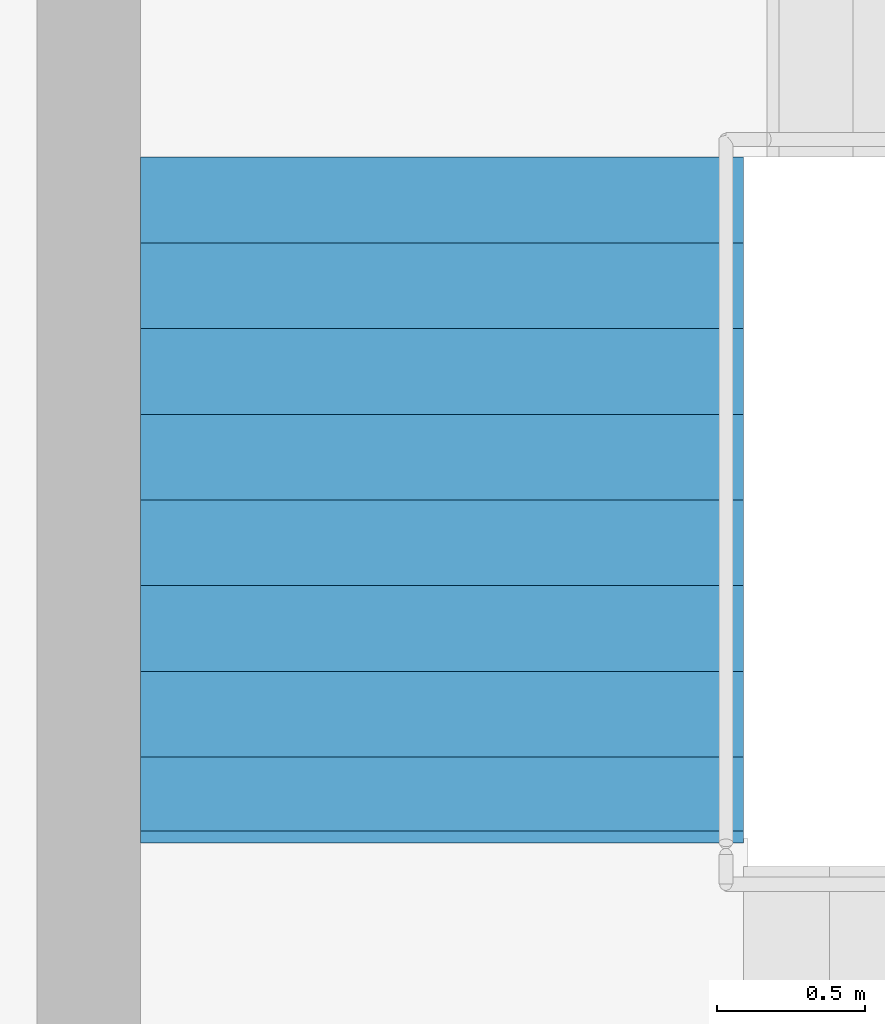
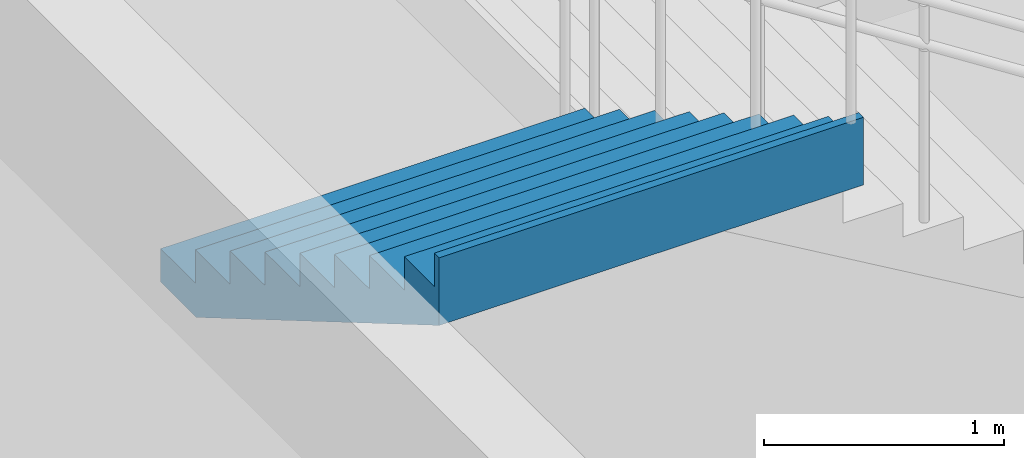
# One storey, part 47 of 58: 1 stair flight, 1 element without a shape of its own.
"""IFC4 building model written with IfcOpenShell, lengths in metres."""

from ifc_helpers import new_model, si_unit, direction, frame, origin, place, context, subcontext, project, spatial, triangles, material, type_object, element, aggregate, save


model = new_model("IFC4")

# Units and contexts
model_context = context("Model", 3, precision=1e-05, world=origin(), true_north=direction((0.0, 1.0)))
body_context = subcontext(model_context, "Body", "Model", "MODEL_VIEW")
ifc_project = project(units=[si_unit("LENGTHUNIT", "METRE"), si_unit("AREAUNIT", "SQUARE_METRE"), si_unit("VOLUMEUNIT", "CUBIC_METRE"), si_unit("PLANEANGLEUNIT", "RADIAN"), si_unit("MASSUNIT", "GRAM", prefix="KILO")], contexts=[model_context])

# Site, building, storey
site_placement = place(None, origin())
site = spatial("IfcSite", under=ifc_project, at=site_placement, CompositionType="ELEMENT")
building_placement = place(site_placement, origin())
building = spatial("IfcBuilding", under=site, at=building_placement, Name="Sillaruma Civic Art Gallery", CompositionType="ELEMENT")
storey_placement = place(building_placement, frame((0.0, 0.0, 22.43994140625)))
storey = spatial("IfcBuildingStorey", under=building, at=storey_placement, Name="L04", CompositionType="ELEMENT", Elevation=22.43994140625)

# Stair, stair flight
ifc_material = material(Name="Concrete H35 (35 MPa)", Category="concrete")
stair_type = type_object("IfcStairType", Name="STR-4F-36", PredefinedType="USERDEFINED", material=ifc_material)
stair_placement = place(storey_placement, origin())
stair = element("IfcStair", 1, at=stair_placement, inside=storey, type_object=stair_type, Name="Protected Exit Stair ST-04 (East Bar) (L04)", ObjectType="THREE_RETURN_STAIR", PredefinedType="USERDEFINED")
stair_flight_type = type_object("IfcStairFlightType", Name="SFL-STR-9", PredefinedType="STRAIGHT", material=ifc_material)
stair_flight_placement = place(storey_placement, frame((99.8798828125, 55.64990234375, 4.590087890625), z_axis=(0.0, 0.0, 1.0), x_axis=(0.0, -1.0, 0.0)))
stair_flight = element("IfcStairFlight", 2, at=stair_flight_placement, type_object=stair_flight_type, Name="ST-04 flight 4", NumberOfRisers=9, NumberOfTreads=8, PredefinedType="STRAIGHT", RiserHeight=0.17, TreadLength=0.29, context=body_context, shape_type="Tessellation", body=[
    triangles([(0.0, -1.02001953125, 0.0), (0.29, -1.02001953125, 0.0), (0.296482, -1.02001953125, 0.0), (0.58, -1.02001953125, 0.1662), (0.87, -1.02001953125, 0.3362), (1.16, -1.02001953125, 0.5062), (1.45, -1.02001953125, 0.6762), (1.74, -1.02001953125, 0.8462), (2.03, -1.02001953125, 1.0162), (2.280068, -1.02001953125, 1.162792), (2.320068, -1.02001953125, 1.18624), (2.320068, -1.02001953125, 1.53), (2.280068, -1.02001953125, 1.53), (2.280068, -1.02001953125, 1.36), (2.03, -1.02001953125, 1.36), (2.03, -1.02001953125, 1.19), (1.74, -1.02001953125, 1.19), (1.74, -1.02001953125, 1.02), (1.45, -1.02001953125, 1.02), (1.45, -1.02001953125, 0.85), (1.16, -1.02001953125, 0.85), (1.16, -1.02001953125, 0.68), (0.87, -1.02001953125, 0.68), (0.87, -1.02001953125, 0.51), (0.58, -1.02001953125, 0.51), (0.58, -1.02001953125, 0.34), (0.296482, -1.02001953125, 0.34), (0.29, -1.02001953125, 0.34), (0.29, -1.02001953125, 0.17), (0.0, -1.02001953125, 0.17), (0.0, -0.05, 0.0), (0.29, -0.05, 0.0), (0.296482, -0.05, 0.0), (0.58, -0.05, 0.1662), (0.87, -0.05, 0.3362), (1.16, -0.05, 0.5062), (1.45, -0.05, 0.6762), (1.74, -0.05, 0.8462), (2.03, -0.05, 1.0162), (2.280068, -0.05, 1.162792), (2.320068, -0.05, 1.18624), (2.320068, -0.05, 1.53), (2.280068, -0.05, 1.53), (2.280068, -0.05, 1.36), (2.03, -0.05, 1.36), (2.03, -0.05, 1.19), (1.74, -0.05, 1.19), (1.74, -0.05, 1.02), (1.45, -0.05, 1.02), (1.45, -0.05, 0.85), (1.16, -0.05, 0.85), (1.16, -0.05, 0.68), (0.87, -0.05, 0.68), (0.87, -0.05, 0.51), (0.58, -0.05, 0.51), (0.58, -0.05, 0.34), (0.296482, -0.05, 0.34), (0.29, -0.05, 0.34), (0.29, -0.05, 0.17), (0.0, -0.05, 0.17), (0.0, -0.0375, 0.0), (0.29, -0.0375, 0.0), (0.296482, -0.0375, 0.0), (0.58, -0.0375, 0.1662), (0.87, -0.0375, 0.3362), (1.16, -0.0375, 0.5062), (1.45, -0.0375, 0.6762), (1.74, -0.0375, 0.8462), (2.03, -0.0375, 1.0162), (2.280068, -0.0375, 1.162792), (2.320068, -0.0375, 1.18624), (2.320068, -0.0375, 1.53), (2.280068, -0.0375, 1.53), (2.280068, -0.0375, 1.36), (2.03, -0.0375, 1.36), (2.03, -0.0375, 1.19), (1.74, -0.0375, 1.19), (1.74, -0.0375, 1.02), (1.45, -0.0375, 1.02), (1.45, -0.0375, 0.85), (1.16, -0.0375, 0.85), (1.16, -0.0375, 0.68), (0.87, -0.0375, 0.68), (0.87, -0.0375, 0.51), (0.58, -0.0375, 0.51), (0.58, -0.0375, 0.34), (0.296482, -0.0375, 0.34), (0.29, -0.0375, 0.34), (0.29, -0.0375, 0.17), (0.0, -0.0375, 0.17), (0.0, -0.025, 0.0), (0.29, -0.025, 0.0), (0.296482, -0.025, 0.0), (0.58, -0.025, 0.1662), (0.87, -0.025, 0.3362), (1.16, -0.025, 0.5062), (1.45, -0.025, 0.6762), (1.74, -0.025, 0.8462), (2.03, -0.025, 1.0162), (2.280068, -0.025, 1.162792), (2.320068, -0.025, 1.18624), (2.320068, -0.025, 1.53), (2.280068, -0.025, 1.53), (2.280068, -0.025, 1.36), (2.03, -0.025, 1.36), (2.03, -0.025, 1.19), (1.74, -0.025, 1.19), (1.74, -0.025, 1.02), (1.45, -0.025, 1.02), (1.45, -0.025, 0.85), (1.16, -0.025, 0.85), (1.16, -0.025, 0.68), (0.87, -0.025, 0.68), (0.87, -0.025, 0.51), (0.58, -0.025, 0.51), (0.58, -0.025, 0.34), (0.296482, -0.025, 0.34), (0.29, -0.025, 0.34), (0.29, -0.025, 0.17), (0.0, -0.025, 0.17), (0.0, -0.0125, 0.0), (0.29, -0.0125, 0.0), (0.296482, -0.0125, 0.0), (0.58, -0.0125, 0.1662), (0.87, -0.0125, 0.3362), (1.16, -0.0125, 0.5062), (1.45, -0.0125, 0.6762), (1.74, -0.0125, 0.8462), (2.03, -0.0125, 1.0162), (2.280068, -0.0125, 1.162792), (2.320068, -0.0125, 1.18624), (2.320068, -0.0125, 1.53), (2.280068, -0.0125, 1.53), (2.280068, -0.0125, 1.36), (2.03, -0.0125, 1.36), (2.03, -0.0125, 1.19), (1.74, -0.0125, 1.19), (1.74, -0.0125, 1.02), (1.45, -0.0125, 1.02), (1.45, -0.0125, 0.85), (1.16, -0.0125, 0.85), (1.16, -0.0125, 0.68), (0.87, -0.0125, 0.68), (0.87, -0.0125, 0.51), (0.58, -0.0125, 0.51), (0.58, -0.0125, 0.34), (0.296482, -0.0125, 0.34), (0.29, -0.0125, 0.34), (0.29, -0.0125, 0.17), (0.0, -0.0125, 0.17), (0.0, 0.0, 0.0), (0.29, 0.0, 0.0), (0.296482, 0.0, 0.0), (0.58, 0.0, 0.1662), (0.87, 0.0, 0.3362), (1.16, 0.0, 0.5062), (1.45, 0.0, 0.6762), (1.74, 0.0, 0.8462), (2.03, 0.0, 1.0162), (2.280068, 0.0, 1.162792), (2.320068, 0.0, 1.18624), (2.320068, 0.0, 1.53), (2.280068, 0.0, 1.53), (2.280068, 0.0, 1.36), (2.03, 0.0, 1.36), (2.03, 0.0, 1.19), (1.74, 0.0, 1.19), (1.74, 0.0, 1.02), (1.45, 0.0, 1.02), (1.45, 0.0, 0.85), (1.16, 0.0, 0.85), (1.16, 0.0, 0.68), (0.87, 0.0, 0.68), (0.87, 0.0, 0.51), (0.58, 0.0, 0.51), (0.58, 0.0, 0.34), (0.296482, 0.0, 0.34), (0.29, 0.0, 0.34), (0.29, 0.0, 0.17), (0.0, 0.0, 0.17), (0.0, 0.0125, 0.0), (0.29, 0.0125, 0.0), (0.296482, 0.0125, 0.0), (0.58, 0.0125, 0.1662), (0.87, 0.0125, 0.3362), (1.16, 0.0125, 0.5062), (1.45, 0.0125, 0.6762), (1.74, 0.0125, 0.8462), (2.03, 0.0125, 1.0162), (2.280068, 0.0125, 1.162792), (2.320068, 0.0125, 1.18624), (2.320068, 0.0125, 1.53), (2.280068, 0.0125, 1.53), (2.280068, 0.0125, 1.36), (2.03, 0.0125, 1.36), (2.03, 0.0125, 1.19), (1.74, 0.0125, 1.19), (1.74, 0.0125, 1.02), (1.45, 0.0125, 1.02), (1.45, 0.0125, 0.85), (1.16, 0.0125, 0.85), (1.16, 0.0125, 0.68), (0.87, 0.0125, 0.68), (0.87, 0.0125, 0.51), (0.58, 0.0125, 0.51), (0.58, 0.0125, 0.34), (0.296482, 0.0125, 0.34), (0.29, 0.0125, 0.34), (0.29, 0.0125, 0.17), (0.0, 0.0125, 0.17), (0.0, 0.025, 0.0), (0.29, 0.025, 0.0), (0.296482, 0.025, 0.0), (0.58, 0.025, 0.1662), (0.87, 0.025, 0.3362), (1.16, 0.025, 0.5062), (1.45, 0.025, 0.6762), (1.74, 0.025, 0.8462), (2.03, 0.025, 1.0162), (2.280068, 0.025, 1.162792), (2.320068, 0.025, 1.18624), (2.320068, 0.025, 1.53), (2.280068, 0.025, 1.53), (2.280068, 0.025, 1.36), (2.03, 0.025, 1.36), (2.03, 0.025, 1.19), (1.74, 0.025, 1.19), (1.74, 0.025, 1.02), (1.45, 0.025, 1.02), (1.45, 0.025, 0.85), (1.16, 0.025, 0.85), (1.16, 0.025, 0.68), (0.87, 0.025, 0.68), (0.87, 0.025, 0.51), (0.58, 0.025, 0.51), (0.58, 0.025, 0.34), (0.296482, 0.025, 0.34), (0.29, 0.025, 0.34), (0.29, 0.025, 0.17), (0.0, 0.025, 0.17), (0.0, 0.0375, 0.0), (0.29, 0.0375, 0.0), (0.296482, 0.0375, 0.0), (0.58, 0.0375, 0.1662), (0.87, 0.0375, 0.3362), (1.16, 0.0375, 0.5062), (1.45, 0.0375, 0.6762), (1.74, 0.0375, 0.8462), (2.03, 0.0375, 1.0162), (2.280068, 0.0375, 1.162792), (2.320068, 0.0375, 1.18624), (2.320068, 0.0375, 1.53), (2.280068, 0.0375, 1.53), (2.280068, 0.0375, 1.36), (2.03, 0.0375, 1.36), (2.03, 0.0375, 1.19), (1.74, 0.0375, 1.19), (1.74, 0.0375, 1.02), (1.45, 0.0375, 1.02), (1.45, 0.0375, 0.85), (1.16, 0.0375, 0.85), (1.16, 0.0375, 0.68), (0.87, 0.0375, 0.68), (0.87, 0.0375, 0.51), (0.58, 0.0375, 0.51), (0.58, 0.0375, 0.34), (0.296482, 0.0375, 0.34), (0.29, 0.0375, 0.34), (0.29, 0.0375, 0.17), (0.0, 0.0375, 0.17), (0.0, 0.05, 0.0), (0.29, 0.05, 0.0), (0.296482, 0.05, 0.0), (0.58, 0.05, 0.1662), (0.87, 0.05, 0.3362), (1.16, 0.05, 0.5062), (1.45, 0.05, 0.6762), (1.74, 0.05, 0.8462), (2.03, 0.05, 1.0162), (2.280068, 0.05, 1.162792), (2.320068, 0.05, 1.18624), (2.320068, 0.05, 1.53), (2.280068, 0.05, 1.53), (2.280068, 0.05, 1.36), (2.03, 0.05, 1.36), (2.03, 0.05, 1.19), (1.74, 0.05, 1.19), (1.74, 0.05, 1.02), (1.45, 0.05, 1.02), (1.45, 0.05, 0.85), (1.16, 0.05, 0.85), (1.16, 0.05, 0.68), (0.87, 0.05, 0.68), (0.87, 0.05, 0.51), (0.58, 0.05, 0.51), (0.58, 0.05, 0.34), (0.296482, 0.05, 0.34), (0.29, 0.05, 0.34), (0.29, 0.05, 0.17), (0.0, 0.05, 0.17), (0.0, 1.02001953125, 0.0), (0.29, 1.02001953125, 0.0), (0.296482, 1.02001953125, 0.0), (0.58, 1.02001953125, 0.1662), (0.87, 1.02001953125, 0.3362), (1.16, 1.02001953125, 0.5062), (1.45, 1.02001953125, 0.6762), (1.74, 1.02001953125, 0.8462), (2.03, 1.02001953125, 1.0162), (2.280068, 1.02001953125, 1.162792), (2.320068, 1.02001953125, 1.18624), (2.320068, 1.02001953125, 1.53), (2.280068, 1.02001953125, 1.53), (2.280068, 1.02001953125, 1.36), (2.03, 1.02001953125, 1.36), (2.03, 1.02001953125, 1.19), (1.74, 1.02001953125, 1.19), (1.74, 1.02001953125, 1.02), (1.45, 1.02001953125, 1.02), (1.45, 1.02001953125, 0.85), (1.16, 1.02001953125, 0.85), (1.16, 1.02001953125, 0.68), (0.87, 1.02001953125, 0.68), (0.87, 1.02001953125, 0.51), (0.58, 1.02001953125, 0.51), (0.58, 1.02001953125, 0.34), (0.296482, 1.02001953125, 0.34), (0.29, 1.02001953125, 0.34), (0.29, 1.02001953125, 0.17), (0.0, 1.02001953125, 0.17)], [[1, 2, 29], [1, 29, 30], [2, 3, 27], [2, 27, 29], [29, 27, 28], [3, 4, 26], [3, 26, 27], [4, 5, 24], [4, 24, 26], [26, 24, 25], [5, 6, 22], [5, 22, 24], [24, 22, 23], [6, 7, 20], [6, 20, 22], [22, 20, 21], [7, 8, 18], [7, 18, 20], [20, 18, 19], [8, 9, 16], [8, 16, 18], [18, 16, 17], [9, 10, 14], [9, 14, 16], [16, 14, 15], [10, 11, 12], [10, 12, 14], [14, 12, 13], [329, 302, 301], [330, 329, 301], [327, 303, 302], [329, 327, 302], [328, 327, 329], [326, 304, 303], [327, 326, 303], [324, 305, 304], [326, 324, 304], [325, 324, 326], [322, 306, 305], [324, 322, 305], [323, 322, 324], [320, 307, 306], [322, 320, 306], [321, 320, 322], [318, 308, 307], [320, 318, 307], [319, 318, 320], [316, 309, 308], [318, 316, 308], [317, 316, 318], [314, 310, 309], [316, 314, 309], [315, 314, 316], [312, 311, 310], [314, 312, 310], [313, 312, 314], [2, 1, 31], [2, 31, 32], [3, 2, 32], [3, 32, 33], [4, 3, 33], [4, 33, 34], [5, 4, 34], [5, 34, 35], [6, 5, 35], [6, 35, 36], [7, 6, 36], [7, 36, 37], [8, 7, 37], [8, 37, 38], [9, 8, 38], [9, 38, 39], [10, 9, 39], [10, 39, 40], [11, 10, 40], [11, 40, 41], [12, 11, 41], [12, 41, 42], [13, 12, 42], [13, 42, 43], [14, 13, 43], [14, 43, 44], [15, 14, 44], [15, 44, 45], [16, 15, 45], [16, 45, 46], [17, 16, 46], [17, 46, 47], [18, 17, 47], [18, 47, 48], [19, 18, 48], [19, 48, 49], [20, 19, 49], [20, 49, 50], [21, 20, 50], [21, 50, 51], [22, 21, 51], [22, 51, 52], [23, 22, 52], [23, 52, 53], [24, 23, 53], [24, 53, 54], [25, 24, 54], [25, 54, 55], [26, 25, 55], [26, 55, 56], [27, 26, 56], [27, 56, 57], [28, 27, 57], [28, 57, 58], [29, 28, 58], [29, 58, 59], [30, 29, 59], [30, 59, 60], [1, 30, 60], [1, 60, 31], [32, 31, 61], [32, 61, 62], [33, 32, 62], [33, 62, 63], [34, 33, 63], [34, 63, 64], [35, 34, 64], [35, 64, 65], [36, 35, 65], [36, 65, 66], [37, 36, 66], [37, 66, 67], [38, 37, 67], [38, 67, 68], [39, 38, 68], [39, 68, 69], [40, 39, 69], [40, 69, 70], [41, 40, 70], [41, 70, 71], [42, 41, 71], [42, 71, 72], [43, 42, 72], [43, 72, 73], [44, 43, 73], [44, 73, 74], [45, 44, 74], [45, 74, 75], [46, 45, 75], [46, 75, 76], [47, 46, 76], [47, 76, 77], [48, 47, 77], [48, 77, 78], [49, 48, 78], [49, 78, 79], [50, 49, 79], [50, 79, 80], [51, 50, 80], [51, 80, 81], [52, 51, 81], [52, 81, 82], [53, 52, 82], [53, 82, 83], [54, 53, 83], [54, 83, 84], [55, 54, 84], [55, 84, 85], [56, 55, 85], [56, 85, 86], [57, 56, 86], [57, 86, 87], [58, 57, 87], [58, 87, 88], [59, 58, 88], [59, 88, 89], [60, 59, 89], [60, 89, 90], [31, 60, 90], [31, 90, 61], [62, 61, 91], [62, 91, 92], [63, 62, 92], [63, 92, 93], [64, 63, 93], [64, 93, 94], [65, 64, 94], [65, 94, 95], [66, 65, 95], [66, 95, 96], [67, 66, 96], [67, 96, 97], [68, 67, 97], [68, 97, 98], [69, 68, 98], [69, 98, 99], [70, 69, 99], [70, 99, 100], [71, 70, 100], [71, 100, 101], [72, 71, 101], [72, 101, 102], [73, 72, 102], [73, 102, 103], [74, 73, 103], [74, 103, 104], [75, 74, 104], [75, 104, 105], [76, 75, 105], [76, 105, 106], [77, 76, 106], [77, 106, 107], [78, 77, 107], [78, 107, 108], [79, 78, 108], [79, 108, 109], [80, 79, 109], [80, 109, 110], [81, 80, 110], [81, 110, 111], [82, 81, 111], [82, 111, 112], [83, 82, 112], [83, 112, 113], [84, 83, 113], [84, 113, 114], [85, 84, 114], [85, 114, 115], [86, 85, 115], [86, 115, 116], [87, 86, 116], [87, 116, 117], [88, 87, 117], [88, 117, 118], [89, 88, 118], [89, 118, 119], [90, 89, 119], [90, 119, 120], [61, 90, 120], [61, 120, 91], [92, 91, 121], [92, 121, 122], [93, 92, 122], [93, 122, 123], [94, 93, 123], [94, 123, 124], [95, 94, 124], [95, 124, 125], [96, 95, 125], [96, 125, 126], [97, 96, 126], [97, 126, 127], [98, 97, 127], [98, 127, 128], [99, 98, 128], [99, 128, 129], [100, 99, 129], [100, 129, 130], [101, 100, 130], [101, 130, 131], [102, 101, 131], [102, 131, 132], [103, 102, 132], [103, 132, 133], [104, 103, 133], [104, 133, 134], [105, 104, 134], [105, 134, 135], [106, 105, 135], [106, 135, 136], [107, 106, 136], [107, 136, 137], [108, 107, 137], [108, 137, 138], [109, 108, 138], [109, 138, 139], [110, 109, 139], [110, 139, 140], [111, 110, 140], [111, 140, 141], [112, 111, 141], [112, 141, 142], [113, 112, 142], [113, 142, 143], [114, 113, 143], [114, 143, 144], [115, 114, 144], [115, 144, 145], [116, 115, 145], [116, 145, 146], [117, 116, 146], [117, 146, 147], [118, 117, 147], [118, 147, 148], [119, 118, 148], [119, 148, 149], [120, 119, 149], [120, 149, 150], [91, 120, 150], [91, 150, 121], [122, 121, 151], [122, 151, 152], [123, 122, 152], [123, 152, 153], [124, 123, 153], [124, 153, 154], [125, 124, 154], [125, 154, 155], [126, 125, 155], [126, 155, 156], [127, 126, 156], [127, 156, 157], [128, 127, 157], [128, 157, 158], [129, 128, 158], [129, 158, 159], [130, 129, 159], [130, 159, 160], [131, 130, 160], [131, 160, 161], [132, 131, 161], [132, 161, 162], [133, 132, 162], [133, 162, 163], [134, 133, 163], [134, 163, 164], [135, 134, 164], [135, 164, 165], [136, 135, 165], [136, 165, 166], [137, 136, 166], [137, 166, 167], [138, 137, 167], [138, 167, 168], [139, 138, 168], [139, 168, 169], [140, 139, 169], [140, 169, 170], [141, 140, 170], [141, 170, 171], [142, 141, 171], [142, 171, 172], [143, 142, 172], [143, 172, 173], [144, 143, 173], [144, 173, 174], [145, 144, 174], [145, 174, 175], [146, 145, 175], [146, 175, 176], [147, 146, 176], [147, 176, 177], [148, 147, 177], [148, 177, 178], [149, 148, 178], [149, 178, 179], [150, 149, 179], [150, 179, 180], [121, 150, 180], [121, 180, 151], [152, 151, 181], [152, 181, 182], [153, 152, 182], [153, 182, 183], [154, 153, 183], [154, 183, 184], [155, 154, 184], [155, 184, 185], [156, 155, 185], [156, 185, 186], [157, 156, 186], [157, 186, 187], [158, 157, 187], [158, 187, 188], [159, 158, 188], [159, 188, 189], [160, 159, 189], [160, 189, 190], [161, 160, 190], [161, 190, 191], [162, 161, 191], [162, 191, 192], [163, 162, 192], [163, 192, 193], [164, 163, 193], [164, 193, 194], [165, 164, 194], [165, 194, 195], [166, 165, 195], [166, 195, 196], [167, 166, 196], [167, 196, 197], [168, 167, 197], [168, 197, 198], [169, 168, 198], [169, 198, 199], [170, 169, 199], [170, 199, 200], [171, 170, 200], [171, 200, 201], [172, 171, 201], [172, 201, 202], [173, 172, 202], [173, 202, 203], [174, 173, 203], [174, 203, 204], [175, 174, 204], [175, 204, 205], [176, 175, 205], [176, 205, 206], [177, 176, 206], [177, 206, 207], [178, 177, 207], [178, 207, 208], [179, 178, 208], [179, 208, 209], [180, 179, 209], [180, 209, 210], [151, 180, 210], [151, 210, 181], [182, 181, 211], [182, 211, 212], [183, 182, 212], [183, 212, 213], [184, 183, 213], [184, 213, 214], [185, 184, 214], [185, 214, 215], [186, 185, 215], [186, 215, 216], [187, 186, 216], [187, 216, 217], [188, 187, 217], [188, 217, 218], [189, 188, 218], [189, 218, 219], [190, 189, 219], [190, 219, 220], [191, 190, 220], [191, 220, 221], [192, 191, 221], [192, 221, 222], [193, 192, 222], [193, 222, 223], [194, 193, 223], [194, 223, 224], [195, 194, 224], [195, 224, 225], [196, 195, 225], [196, 225, 226], [197, 196, 226], [197, 226, 227], [198, 197, 227], [198, 227, 228], [199, 198, 228], [199, 228, 229], [200, 199, 229], [200, 229, 230], [201, 200, 230], [201, 230, 231], [202, 201, 231], [202, 231, 232], [203, 202, 232], [203, 232, 233], [204, 203, 233], [204, 233, 234], [205, 204, 234], [205, 234, 235], [206, 205, 235], [206, 235, 236], [207, 206, 236], [207, 236, 237], [208, 207, 237], [208, 237, 238], [209, 208, 238], [209, 238, 239], [210, 209, 239], [210, 239, 240], [181, 210, 240], [181, 240, 211], [212, 211, 241], [212, 241, 242], [213, 212, 242], [213, 242, 243], [214, 213, 243], [214, 243, 244], [215, 214, 244], [215, 244, 245], [216, 215, 245], [216, 245, 246], [217, 216, 246], [217, 246, 247], [218, 217, 247], [218, 247, 248], [219, 218, 248], [219, 248, 249], [220, 219, 249], [220, 249, 250], [221, 220, 250], [221, 250, 251], [222, 221, 251], [222, 251, 252], [223, 222, 252], [223, 252, 253], [224, 223, 253], [224, 253, 254], [225, 224, 254], [225, 254, 255], [226, 225, 255], [226, 255, 256], [227, 226, 256], [227, 256, 257], [228, 227, 257], [228, 257, 258], [229, 228, 258], [229, 258, 259], [230, 229, 259], [230, 259, 260], [231, 230, 260], [231, 260, 261], [232, 231, 261], [232, 261, 262], [233, 232, 262], [233, 262, 263], [234, 233, 263], [234, 263, 264], [235, 234, 264], [235, 264, 265], [236, 235, 265], [236, 265, 266], [237, 236, 266], [237, 266, 267], [238, 237, 267], [238, 267, 268], [239, 238, 268], [239, 268, 269], [240, 239, 269], [240, 269, 270], [211, 240, 270], [211, 270, 241], [242, 241, 271], [242, 271, 272], [243, 242, 272], [243, 272, 273], [244, 243, 273], [244, 273, 274], [245, 244, 274], [245, 274, 275], [246, 245, 275], [246, 275, 276], [247, 246, 276], [247, 276, 277], [248, 247, 277], [248, 277, 278], [249, 248, 278], [249, 278, 279], [250, 249, 279], [250, 279, 280], [251, 250, 280], [251, 280, 281], [252, 251, 281], [252, 281, 282], [253, 252, 282], [253, 282, 283], [254, 253, 283], [254, 283, 284], [255, 254, 284], [255, 284, 285], [256, 255, 285], [256, 285, 286], [257, 256, 286], [257, 286, 287], [258, 257, 287], [258, 287, 288], [259, 258, 288], [259, 288, 289], [260, 259, 289], [260, 289, 290], [261, 260, 290], [261, 290, 291], [262, 261, 291], [262, 291, 292], [263, 262, 292], [263, 292, 293], [264, 263, 293], [264, 293, 294], [265, 264, 294], [265, 294, 295], [266, 265, 295], [266, 295, 296], [267, 266, 296], [267, 296, 297], [268, 267, 297], [268, 297, 298], [269, 268, 298], [269, 298, 299], [270, 269, 299], [270, 299, 300], [241, 270, 300], [241, 300, 271], [272, 271, 301], [272, 301, 302], [273, 272, 302], [273, 302, 303], [274, 273, 303], [274, 303, 304], [275, 274, 304], [275, 304, 305], [276, 275, 305], [276, 305, 306], [277, 276, 306], [277, 306, 307], [278, 277, 307], [278, 307, 308], [279, 278, 308], [279, 308, 309], [280, 279, 309], [280, 309, 310], [281, 280, 310], [281, 310, 311], [282, 281, 311], [282, 311, 312], [283, 282, 312], [283, 312, 313], [284, 283, 313], [284, 313, 314], [285, 284, 314], [285, 314, 315], [286, 285, 315], [286, 315, 316], [287, 286, 316], [287, 316, 317], [288, 287, 317], [288, 317, 318], [289, 288, 318], [289, 318, 319], [290, 289, 319], [290, 319, 320], [291, 290, 320], [291, 320, 321], [292, 291, 321], [292, 321, 322], [293, 292, 322], [293, 322, 323], [294, 293, 323], [294, 323, 324], [295, 294, 324], [295, 324, 325], [296, 295, 325], [296, 325, 326], [297, 296, 326], [297, 326, 327], [298, 297, 327], [298, 327, 328], [299, 298, 328], [299, 328, 329], [300, 299, 329], [300, 329, 330], [271, 300, 330], [271, 330, 301]], closed=True),
])
aggregate(stair, [stair_flight])

save(model, "model.ifc")
